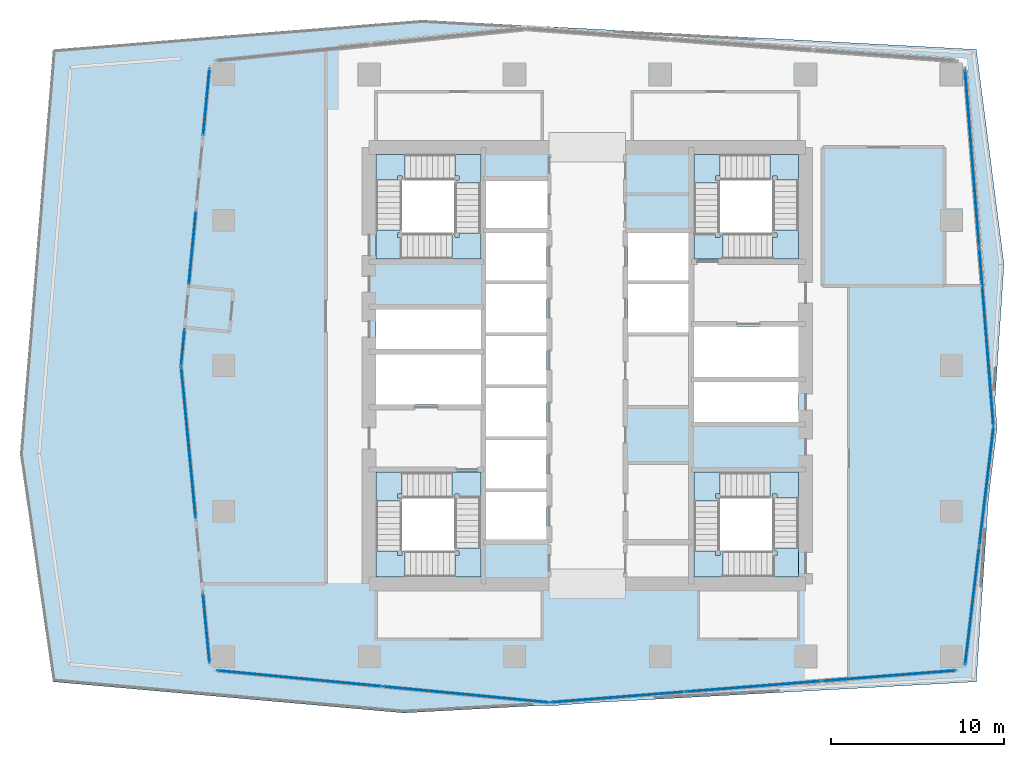
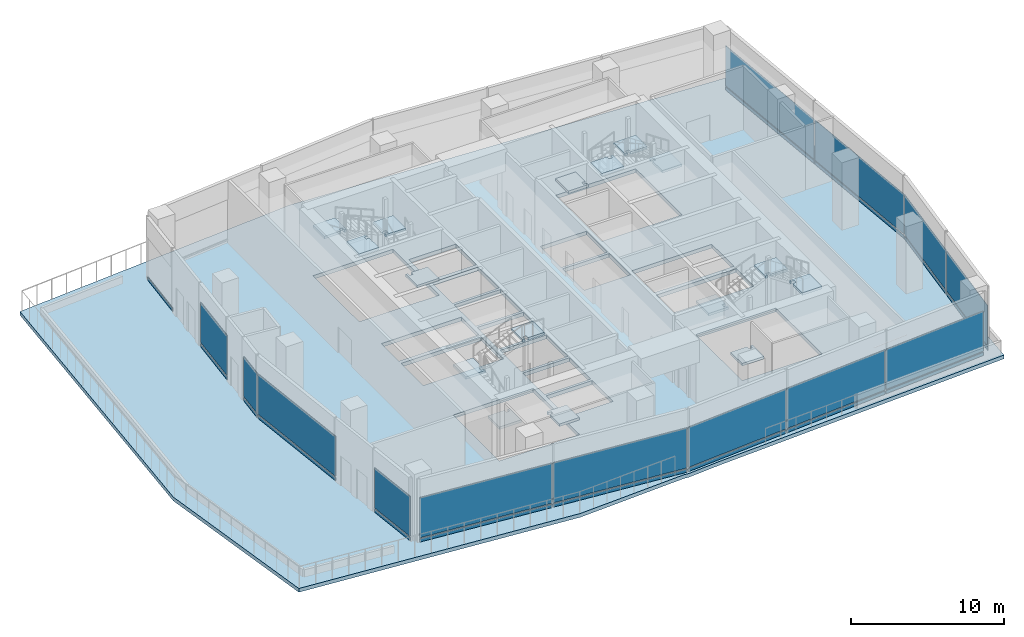
# One storey, part 11 of 22: 27 plates, 17 slabs, 13 elements without a shape of their own.
"""IFC4 building model written with IfcOpenShell, lengths in metres."""

from ifc_helpers import new_model, si_unit, direction, frame, origin, origin_2d, place, context, subcontext, project, spatial, polyline, rectangle, outline, extrude, material, layer, layer_set, type_object, element, aggregate, save


model = new_model("IFC4")

# Units and contexts
model_context = context("Model", 3, precision=1e-05, world=origin(), true_north=direction((0.0, 1.0)))
body_context = subcontext(model_context, "Body", "Model", "MODEL_VIEW")
ifc_project = project(units=[si_unit("LENGTHUNIT", "METRE"), si_unit("AREAUNIT", "SQUARE_METRE"), si_unit("VOLUMEUNIT", "CUBIC_METRE"), si_unit("PLANEANGLEUNIT", "RADIAN"), si_unit("MASSUNIT", "GRAM", prefix="KILO")], contexts=[model_context])

# Site, building, storey
site_placement = place(None, origin())
site = spatial("IfcSite", under=ifc_project, at=site_placement, CompositionType="ELEMENT")
building_placement = place(site_placement, origin())
building = spatial("IfcBuilding", under=site, at=building_placement, Name="Rekha Terrace Tower", CompositionType="ELEMENT")
storey_placement = place(building_placement, frame((0.0, 0.0, 291.35009765625)))
storey = spatial("IfcBuildingStorey", under=building, at=storey_placement, Name="L74", CompositionType="ELEMENT", Elevation=291.35009765625)

# Curtain wall, plates
ifc_material_1 = material(Name="Aluminium framing", Category="aluminium")
curtain_wall_type = type_object("IfcCurtainWallType", Name="CW6 observation glazing", PredefinedType="USERDEFINED", material=ifc_material_1)
curtain_wall_1_placement = place(storey_placement, origin())
curtain_wall_1 = element("IfcCurtainWall", 1, at=curtain_wall_1_placement, inside=storey, type_object=curtain_wall_type, Name="CW6 observation curtain wall", ObjectType="OBSERVATION CURTAIN WALL", PredefinedType="USERDEFINED")
ifc_material_2 = material(Name="Laminated triple-glazed unit 40", Category="glass")
ifc_layer_1 = layer(ifc_material_2, 0.0400390625)
ifc_layer_set_1 = layer_set([ifc_layer_1], Name="Laminated triple-glazed unit 40")
plate_type = type_object("IfcPlateType", Name="CW6 jumbo vision panel, laminated triple-glazed unit 40", PredefinedType="CURTAIN_PANEL", material=ifc_layer_set_1)
plate_1_placement = place(storey_placement, frame((21.181884765625, 15.5380859375, 0.0), z_axis=(0.0, 0.0, 1.0), x_axis=(0.995406720843, -0.095736409483, 0.0)))
plate_1 = element("IfcPlate", 2, at=plate_1_placement, type_object=plate_type, Name="CW6 panel 1.1", PredefinedType="CURTAIN_PANEL", context=body_context, shape_type="SweptSolid", body=[
    extrude(rectangle(XDim=9.527587890625, YDim=0.0400390625, at=origin_2d()), origin(), (0.0, 0.0, 1.0), 0.25),
])
plate_2_placement = place(storey_placement, frame((21.181884765625, 15.5380859375, 0.35009765625), z_axis=(0.0, 0.0, 1.0), x_axis=(0.995406720843, -0.095736409483, 0.0)))
plate_2 = element("IfcPlate", 3, at=plate_2_placement, type_object=plate_type, Name="CW6 panel 1.2", PredefinedType="CURTAIN_PANEL", context=body_context, shape_type="SweptSolid", body=[
    extrude(rectangle(XDim=9.527587890625, YDim=0.0400390625, at=origin_2d()), origin(), (0.0, 0.0, 1.0), 3.199951171875),
])
plate_3_placement = place(storey_placement, frame((30.81494140625, 14.611572265625, 0.0), z_axis=(0.0, 0.0, 1.0), x_axis=(0.995406720843, -0.095736409483, 0.0)))
plate_3 = element("IfcPlate", 4, at=plate_3_placement, type_object=plate_type, Name="CW6 panel 2.1", PredefinedType="CURTAIN_PANEL", context=body_context, shape_type="SweptSolid", body=[
    extrude(rectangle(XDim=9.627685546875, YDim=0.0400390625, at=origin_2d()), origin(), (0.0, 0.0, 1.0), 0.25),
])
plate_4_placement = place(storey_placement, frame((30.81494140625, 14.611572265625, 0.35009765625), z_axis=(0.0, 0.0, 1.0), x_axis=(0.995406720843, -0.095736409483, 0.0)))
plate_4 = element("IfcPlate", 5, at=plate_4_placement, type_object=plate_type, Name="CW6 panel 2.2", PredefinedType="CURTAIN_PANEL", context=body_context, shape_type="SweptSolid", body=[
    extrude(rectangle(XDim=9.627685546875, YDim=0.0400390625, at=origin_2d()), origin(), (0.0, 0.0, 1.0), 3.199951171875),
])
aggregate(curtain_wall_1, [plate_1, plate_2, plate_3, plate_4])

curtain_wall_2_placement = place(storey_placement, origin())
curtain_wall_2 = element("IfcCurtainWall", 6, at=curtain_wall_2_placement, inside=storey, type_object=curtain_wall_type, Name="CW6 observation curtain wall", ObjectType="OBSERVATION CURTAIN WALL", PredefinedType="USERDEFINED")
plate_5_placement = place(storey_placement, frame((39.556640625, 14.461669921875, 0.0), z_axis=(0.0, 0.0, 1.0), x_axis=(0.996918149807, 0.078448725836, 0.0)))
plate_5 = element("IfcPlate", 7, at=plate_5_placement, type_object=plate_type, Name="CW6 panel 1.1", PredefinedType="CURTAIN_PANEL", context=body_context, shape_type="SweptSolid", body=[
    extrude(rectangle(XDim=7.72412109375, YDim=0.0400390625, at=origin_2d()), origin(), (0.0, 0.0, 1.0), 0.25),
])
plate_6_placement = place(storey_placement, frame((39.556640625, 14.461669921875, 0.35009765625), z_axis=(0.0, 0.0, 1.0), x_axis=(0.996918149807, 0.078448725836, 0.0)))
plate_6 = element("IfcPlate", 8, at=plate_6_placement, type_object=plate_type, Name="CW6 panel 1.2", PredefinedType="CURTAIN_PANEL", context=body_context, shape_type="SweptSolid", body=[
    extrude(rectangle(XDim=7.72412109375, YDim=0.0400390625, at=origin_2d()), origin(), (0.0, 0.0, 1.0), 3.199951171875),
])
plate_7_placement = place(storey_placement, frame((47.38134765625, 15.077392578125, 0.0), z_axis=(0.0, 0.0, 1.0), x_axis=(0.996918149807, 0.078448725836, 0.0)))
plate_7 = element("IfcPlate", 9, at=plate_7_placement, type_object=plate_type, Name="CW6 panel 2.1", PredefinedType="CURTAIN_PANEL", context=body_context, shape_type="SweptSolid", body=[
    extrude(rectangle(XDim=7.77392578125, YDim=0.0400390625, at=origin_2d()), origin(), (0.0, 0.0, 1.0), 0.25),
])
plate_8_placement = place(storey_placement, frame((47.38134765625, 15.077392578125, 0.35009765625), z_axis=(0.0, 0.0, 1.0), x_axis=(0.996918149807, 0.078448725836, 0.0)))
plate_8 = element("IfcPlate", 10, at=plate_8_placement, type_object=plate_type, Name="CW6 panel 2.2", PredefinedType="CURTAIN_PANEL", context=body_context, shape_type="SweptSolid", body=[
    extrude(rectangle(XDim=7.77392578125, YDim=0.0400390625, at=origin_2d()), origin(), (0.0, 0.0, 1.0), 3.199951171875),
])
plate_9_placement = place(storey_placement, frame((55.206298828125, 15.693115234375, 0.0), z_axis=(0.0, 0.0, 1.0), x_axis=(0.996918149807, 0.078448725836, 0.0)))
plate_9 = element("IfcPlate", 11, at=plate_9_placement, type_object=plate_type, Name="CW6 panel 3.1", PredefinedType="CURTAIN_PANEL", context=body_context, shape_type="SweptSolid", body=[
    extrude(rectangle(XDim=7.72412109375, YDim=0.0400390625, at=origin_2d()), origin(), (0.0, 0.0, 1.0), 0.25),
])
plate_10_placement = place(storey_placement, frame((55.206298828125, 15.693115234375, 0.35009765625), z_axis=(0.0, 0.0, 1.0), x_axis=(0.996918149807, 0.078448725836, 0.0)))
plate_10 = element("IfcPlate", 12, at=plate_10_placement, type_object=plate_type, Name="CW6 panel 3.2", PredefinedType="CURTAIN_PANEL", context=body_context, shape_type="SweptSolid", body=[
    extrude(rectangle(XDim=7.72412109375, YDim=0.0400390625, at=origin_2d()), origin(), (0.0, 0.0, 1.0), 3.199951171875),
])
aggregate(curtain_wall_2, [plate_5, plate_6, plate_7, plate_8, plate_9, plate_10])

curtain_wall_3_placement = place(storey_placement, origin())
curtain_wall_3 = element("IfcCurtainWall", 13, at=curtain_wall_3_placement, inside=storey, type_object=curtain_wall_type, Name="CW6 observation curtain wall", ObjectType="OBSERVATION CURTAIN WALL", PredefinedType="USERDEFINED")
plate_11_placement = place(storey_placement, frame((60.012451171875, 19.72509765625, 0.0), z_axis=(0.0, 0.0, 1.0), x_axis=(0.118869493529, 0.992909886902, 0.0)))
plate_11 = element("IfcPlate", 14, at=plate_11_placement, type_object=plate_type, Name="CW6 panel 1.1", PredefinedType="CURTAIN_PANEL", context=body_context, shape_type="SweptSolid", body=[
    extrude(rectangle(XDim=6.8017578125, YDim=0.0400390625, at=origin_2d()), origin(), (0.0, 0.0, 1.0), 0.25),
])
plate_12_placement = place(storey_placement, frame((60.012451171875, 19.72509765625, 0.35009765625), z_axis=(0.0, 0.0, 1.0), x_axis=(0.118869493529, 0.992909886902, 0.0)))
plate_12 = element("IfcPlate", 15, at=plate_12_placement, type_object=plate_type, Name="CW6 panel 1.2", PredefinedType="CURTAIN_PANEL", context=body_context, shape_type="SweptSolid", body=[
    extrude(rectangle(XDim=6.8017578125, YDim=0.0400390625, at=origin_2d()), origin(), (0.0, 0.0, 1.0), 3.199951171875),
])
plate_13_placement = place(storey_placement, frame((60.8388671875, 26.627685546875, 0.0), z_axis=(0.0, 0.0, 1.0), x_axis=(0.118869493529, 0.992909886902, 0.0)))
plate_13 = element("IfcPlate", 16, at=plate_13_placement, type_object=plate_type, Name="CW6 panel 2.1", PredefinedType="CURTAIN_PANEL", context=body_context, shape_type="SweptSolid", body=[
    extrude(rectangle(XDim=6.901611328125, YDim=0.0400390625, at=origin_2d()), origin(), (0.0, 0.0, 1.0), 0.25),
])
plate_14_placement = place(storey_placement, frame((60.8388671875, 26.627685546875, 0.35009765625), z_axis=(0.0, 0.0, 1.0), x_axis=(0.118869493529, 0.992909886902, 0.0)))
plate_14 = element("IfcPlate", 17, at=plate_14_placement, type_object=plate_type, Name="CW6 panel 2.2", PredefinedType="CURTAIN_PANEL", context=body_context, shape_type="SweptSolid", body=[
    extrude(rectangle(XDim=6.901611328125, YDim=0.0400390625, at=origin_2d()), origin(), (0.0, 0.0, 1.0), 3.199951171875),
])
aggregate(curtain_wall_3, [plate_11, plate_12, plate_13, plate_14])

curtain_wall_4_placement = place(storey_placement, origin())
curtain_wall_4 = element("IfcCurtainWall", 18, at=curtain_wall_4_placement, inside=storey, type_object=curtain_wall_type, Name="CW6 observation curtain wall", ObjectType="OBSERVATION CURTAIN WALL", PredefinedType="USERDEFINED")
plate_15_placement = place(storey_placement, frame((60.833740234375, 35.25634765625, 0.0), z_axis=(0.0, 0.0, 1.0), x_axis=(-0.079559213191, 0.996830141798, 0.0)))
plate_15 = element("IfcPlate", 19, at=plate_15_placement, type_object=plate_type, Name="CW6 panel 1.1", PredefinedType="CURTAIN_PANEL", context=body_context, shape_type="SweptSolid", body=[
    extrude(rectangle(XDim=10.238037109375, YDim=0.0400390625, at=origin_2d()), origin(), (0.0, 0.0, 1.0), 0.25),
])
plate_16_placement = place(storey_placement, frame((60.833740234375, 35.25634765625, 0.35009765625), z_axis=(0.0, 0.0, 1.0), x_axis=(-0.079559213191, 0.996830141798, 0.0)))
plate_16 = element("IfcPlate", 20, at=plate_16_placement, type_object=plate_type, Name="CW6 panel 1.2", PredefinedType="CURTAIN_PANEL", context=body_context, shape_type="SweptSolid", body=[
    extrude(rectangle(XDim=10.238037109375, YDim=0.0400390625, at=origin_2d()), origin(), (0.0, 0.0, 1.0), 3.199951171875),
])
plate_17_placement = place(storey_placement, frame((60.01123046875, 45.5615234375, 0.0), z_axis=(0.0, 0.0, 1.0), x_axis=(-0.079559213191, 0.996830141798, 0.0)))
plate_17 = element("IfcPlate", 21, at=plate_17_placement, type_object=plate_type, Name="CW6 panel 2.1", PredefinedType="CURTAIN_PANEL", context=body_context, shape_type="SweptSolid", body=[
    extrude(rectangle(XDim=10.238037109375, YDim=0.0400390625, at=origin_2d()), origin(), (0.0, 0.0, 1.0), 0.25),
])
plate_18_placement = place(storey_placement, frame((60.01123046875, 45.5615234375, 0.35009765625), z_axis=(0.0, 0.0, 1.0), x_axis=(-0.079559213191, 0.996830141798, 0.0)))
plate_18 = element("IfcPlate", 22, at=plate_18_placement, type_object=plate_type, Name="CW6 panel 2.2", PredefinedType="CURTAIN_PANEL", context=body_context, shape_type="SweptSolid", body=[
    extrude(rectangle(XDim=10.238037109375, YDim=0.0400390625, at=origin_2d()), origin(), (0.0, 0.0, 1.0), 3.199951171875),
])
aggregate(curtain_wall_4, [plate_15, plate_16, plate_17, plate_18])

# Curtain wall, plate
curtain_wall_5_placement = place(storey_placement, origin())
curtain_wall_5 = element("IfcCurtainWall", 23, at=curtain_wall_5_placement, inside=storey, type_object=curtain_wall_type, Name="CW6 observation curtain wall", ObjectType="OBSERVATION CURTAIN WALL", PredefinedType="USERDEFINED")
plate_19_placement = place(storey_placement, frame((15.80810546875, 48.813720703125, 0.0), z_axis=(0.0, 0.0, 1.0), x_axis=(-0.095338387029, -0.99544492161, 0.0)))
plate_19 = element("IfcPlate", 24, at=plate_19_placement, type_object=plate_type, Name="CW6 panel 1.1", PredefinedType="CURTAIN_PANEL", context=body_context, shape_type="SweptSolid", body=[
    extrude(rectangle(XDim=3.906494140625, YDim=0.0400390625, at=origin_2d()), origin(), (0.0, 0.0, 1.0), 0.25),
])
aggregate(curtain_wall_5, [plate_19])

# Curtain wall, plates
curtain_wall_6_placement = place(storey_placement, origin())
curtain_wall_6 = element("IfcCurtainWall", 25, at=curtain_wall_6_placement, inside=storey, type_object=curtain_wall_type, Name="CW6 observation curtain wall", ObjectType="OBSERVATION CURTAIN WALL", PredefinedType="USERDEFINED")
plate_20_placement = place(storey_placement, frame((15.001220703125, 40.39013671875, 0.0), z_axis=(0.0, 0.0, 1.0), x_axis=(-0.095338386699, -0.995444921641, 0.0)))
plate_20 = element("IfcPlate", 26, at=plate_20_placement, type_object=plate_type, Name="CW6 panel 1.1", PredefinedType="CURTAIN_PANEL", context=body_context, shape_type="SweptSolid", body=[
    extrude(rectangle(XDim=4.218017578125, YDim=0.0400390625, at=origin_2d()), origin(), (0.0, 0.0, 1.0), 0.25),
])
plate_21_placement = place(storey_placement, frame((15.001220703125, 40.39013671875, 0.35009765625), z_axis=(0.0, 0.0, 1.0), x_axis=(-0.095338386699, -0.995444921641, 0.0)))
plate_21 = element("IfcPlate", 27, at=plate_21_placement, type_object=plate_type, Name="CW6 panel 1.2", PredefinedType="CURTAIN_PANEL", context=body_context, shape_type="SweptSolid", body=[
    extrude(rectangle(XDim=4.218017578125, YDim=0.0400390625, at=origin_2d()), origin(), (0.0, 0.0, 1.0), 3.199951171875),
])
aggregate(curtain_wall_6, [plate_20, plate_21])

curtain_wall_7_placement = place(storey_placement, origin())
curtain_wall_7 = element("IfcCurtainWall", 28, at=curtain_wall_7_placement, inside=storey, type_object=curtain_wall_type, Name="CW6 observation curtain wall", ObjectType="OBSERVATION CURTAIN WALL", PredefinedType="USERDEFINED")
plate_22_placement = place(storey_placement, frame((14.45166015625, 34.651123046875, 0.0), z_axis=(0.0, 0.0, 1.0), x_axis=(-0.095338386925, -0.99544492162, 0.0)))
plate_22 = element("IfcPlate", 29, at=plate_22_placement, type_object=plate_type, Name="CW6 panel 1.1", PredefinedType="CURTAIN_PANEL", context=body_context, shape_type="SweptSolid", body=[
    extrude(rectangle(XDim=2.112060546875, YDim=0.0400390625, at=origin_2d()), origin(), (0.0, 0.0, 1.0), 0.25),
])
plate_23_placement = place(storey_placement, frame((14.45166015625, 34.651123046875, 0.35009765625), z_axis=(0.0, 0.0, 1.0), x_axis=(-0.095338386925, -0.99544492162, 0.0)))
plate_23 = element("IfcPlate", 30, at=plate_23_placement, type_object=plate_type, Name="CW6 panel 1.2", PredefinedType="CURTAIN_PANEL", context=body_context, shape_type="SweptSolid", body=[
    extrude(rectangle(XDim=2.112060546875, YDim=0.0400390625, at=origin_2d()), origin(), (0.0, 0.0, 1.0), 3.199951171875),
])
aggregate(curtain_wall_7, [plate_22, plate_23])

curtain_wall_8_placement = place(storey_placement, origin())
curtain_wall_8 = element("IfcCurtainWall", 31, at=curtain_wall_8_placement, inside=storey, type_object=curtain_wall_type, Name="CW6 observation curtain wall", ObjectType="OBSERVATION CURTAIN WALL", PredefinedType="USERDEFINED")
plate_24_placement = place(storey_placement, frame((14.7763671875, 29.158447265625, 0.0), z_axis=(0.0, 0.0, 1.0), x_axis=(0.095338386855, -0.995444921626, 0.0)))
plate_24 = element("IfcPlate", 32, at=plate_24_placement, type_object=plate_type, Name="CW6 panel 1.1", PredefinedType="CURTAIN_PANEL", context=body_context, shape_type="SweptSolid", body=[
    extrude(rectangle(XDim=8.7236328125, YDim=0.0400390625, at=origin_2d()), origin(), (0.0, 0.0, 1.0), 0.25),
])
plate_25_placement = place(storey_placement, frame((14.7763671875, 29.158447265625, 0.35009765625), z_axis=(0.0, 0.0, 1.0), x_axis=(0.095338386855, -0.995444921626, 0.0)))
plate_25 = element("IfcPlate", 33, at=plate_25_placement, type_object=plate_type, Name="CW6 panel 1.2", PredefinedType="CURTAIN_PANEL", context=body_context, shape_type="SweptSolid", body=[
    extrude(rectangle(XDim=8.7236328125, YDim=0.0400390625, at=origin_2d()), origin(), (0.0, 0.0, 1.0), 3.199951171875),
])
aggregate(curtain_wall_8, [plate_24, plate_25])

curtain_wall_9_placement = place(storey_placement, origin())
curtain_wall_9 = element("IfcCurtainWall", 34, at=curtain_wall_9_placement, inside=storey, type_object=curtain_wall_type, Name="CW6 observation curtain wall", ObjectType="OBSERVATION CURTAIN WALL", PredefinedType="USERDEFINED")
plate_26_placement = place(storey_placement, frame((15.802978515625, 18.439208984375, 0.0), z_axis=(0.0, 0.0, 1.0), x_axis=(0.095338387011, -0.995444921611, 0.0)))
plate_26 = element("IfcPlate", 35, at=plate_26_placement, type_object=plate_type, Name="CW6 panel 1.1", PredefinedType="CURTAIN_PANEL", context=body_context, shape_type="SweptSolid", body=[
    extrude(rectangle(XDim=4.012939453125, YDim=0.0400390625, at=origin_2d()), origin(), (0.0, 0.0, 1.0), 0.25),
])
plate_27_placement = place(storey_placement, frame((15.802978515625, 18.439208984375, 0.35009765625), z_axis=(0.0, 0.0, 1.0), x_axis=(0.095338387011, -0.995444921611, 0.0)))
plate_27 = element("IfcPlate", 36, at=plate_27_placement, type_object=plate_type, Name="CW6 panel 1.2", PredefinedType="CURTAIN_PANEL", context=body_context, shape_type="SweptSolid", body=[
    extrude(rectangle(XDim=4.012939453125, YDim=0.0400390625, at=origin_2d()), origin(), (0.0, 0.0, 1.0), 3.199951171875),
])
aggregate(curtain_wall_9, [plate_26, plate_27])

# Stair, slabs
ifc_material_3 = material(Name="Concrete M40", Category="concrete")
stair_type = type_object("IfcStairType", Name="ST40 stair, 40 risers of 135, going 320, 1500 wide flights, 4 flights", PredefinedType="QUARTER_TURN_STAIR", material=ifc_material_3)
stair_1_placement = place(storey_placement, origin())
stair_1 = element("IfcStair", 37, at=stair_1_placement, inside=storey, type_object=stair_type, Name="Stair ST1 L74 to L75", PredefinedType="QUARTER_TURN_STAIR")
ifc_layer_2 = layer(ifc_material_3, 0.199951171875)
ifc_layer_set_2 = layer_set([ifc_layer_2], Name="Concrete M40")
slab_type_1 = type_object("IfcSlabType", Name="LD1 200 concrete stair landing", PredefinedType="LANDING", material=ifc_layer_set_2)
slab_1_placement = place(storey_placement, frame((0.0, 0.0, 1.14990234375)))
slab_1 = element("IfcSlab", 38, at=slab_1_placement, type_object=slab_type_1, Name="ST1 landing 1", PredefinedType="LANDING", context=body_context, shape_type="SweptSolid", body=[
    extrude(outline(polyline([(30.14990234375, 21.39990234375), (31.64990234375, 21.39990234375), (31.64990234375, 23.070068359375), (30.14990234375, 23.070068359375), (30.14990234375, 22.89990234375), (30.39990234375, 22.89990234375), (30.39990234375, 22.64990234375), (30.14990234375, 22.64990234375), (30.14990234375, 21.39990234375)])), origin(), (0.0, 0.0, 1.0), 0.199951171875),
])
slab_2_placement = place(storey_placement, frame((0.0, 0.0, 2.5)))
slab_2 = element("IfcSlab", 39, at=slab_2_placement, type_object=slab_type_1, Name="ST1 landing 2", PredefinedType="LANDING", context=body_context, shape_type="SweptSolid", body=[
    extrude(outline(polyline([(25.60009765625, 22.89990234375), (25.60009765625, 21.39990234375), (27.27001953125, 21.39990234375), (27.27001953125, 22.89990234375), (27.10009765625, 22.89990234375), (27.10009765625, 22.64990234375), (26.85009765625, 22.64990234375), (26.85009765625, 22.89990234375), (25.60009765625, 22.89990234375)])), origin(), (0.0, 0.0, 1.0), 0.199951171875),
])
slab_3_placement = place(storey_placement, frame((0.0, 0.0, 3.849853515625)))
slab_3 = element("IfcSlab", 40, at=slab_3_placement, type_object=slab_type_1, Name="ST1 landing 3", PredefinedType="LANDING", context=body_context, shape_type="SweptSolid", body=[
    extrude(outline(polyline([(27.10009765625, 27.449951171875), (25.60009765625, 27.449951171875), (25.60009765625, 25.780029296875), (27.10009765625, 25.780029296875), (27.10009765625, 25.949951171875), (26.85009765625, 25.949951171875), (26.85009765625, 26.199951171875), (27.10009765625, 26.199951171875), (27.10009765625, 27.449951171875)])), origin(), (0.0, 0.0, 1.0), 0.199951171875),
])
slab_4_placement = place(storey_placement, frame((0.0, 0.0, 5.199951171875)))
slab_4 = element("IfcSlab", 41, at=slab_4_placement, type_object=slab_type_1, Name="ST1 landing 4", PredefinedType="LANDING", context=body_context, shape_type="SweptSolid", body=[
    extrude(outline(polyline([(31.64990234375, 25.949951171875), (31.64990234375, 27.449951171875), (29.97998046875, 27.449951171875), (29.97998046875, 25.949951171875), (30.14990234375, 25.949951171875), (30.14990234375, 26.199951171875), (30.39990234375, 26.199951171875), (30.39990234375, 25.949951171875), (31.64990234375, 25.949951171875)])), origin(), (0.0, 0.0, 1.0), 0.199951171875),
])
aggregate(stair_1, [slab_1, slab_2, slab_3, slab_4])

stair_2_placement = place(storey_placement, origin())
stair_2 = element("IfcStair", 42, at=stair_2_placement, inside=storey, type_object=stair_type, Name="Stair ST2 L74 to L75", PredefinedType="QUARTER_TURN_STAIR")
slab_5_placement = place(storey_placement, frame((0.0, 0.0, 1.14990234375)))
slab_5 = element("IfcSlab", 43, at=slab_5_placement, type_object=slab_type_1, Name="ST2 landing 1", PredefinedType="LANDING", context=body_context, shape_type="SweptSolid", body=[
    extrude(outline(polyline([(45.449951171875, 45.800048828125), (43.949951171875, 45.800048828125), (43.949951171875, 44.1298828125), (45.449951171875, 44.1298828125), (45.449951171875, 44.300048828125), (45.199951171875, 44.300048828125), (45.199951171875, 44.550048828125), (45.449951171875, 44.550048828125), (45.449951171875, 45.800048828125)])), origin(), (0.0, 0.0, 1.0), 0.199951171875),
])
slab_6_placement = place(storey_placement, frame((0.0, 0.0, 2.5)))
slab_6 = element("IfcSlab", 44, at=slab_6_placement, type_object=slab_type_1, Name="ST2 landing 2", PredefinedType="LANDING", context=body_context, shape_type="SweptSolid", body=[
    extrude(outline(polyline([(50.0, 44.300048828125), (50.0, 45.800048828125), (48.330078125, 45.800048828125), (48.330078125, 44.300048828125), (48.5, 44.300048828125), (48.5, 44.550048828125), (48.75, 44.550048828125), (48.75, 44.300048828125), (50.0, 44.300048828125)])), origin(), (0.0, 0.0, 1.0), 0.199951171875),
])
slab_7_placement = place(storey_placement, frame((0.0, 0.0, 3.849853515625)))
slab_7 = element("IfcSlab", 45, at=slab_7_placement, type_object=slab_type_1, Name="ST2 landing 3", PredefinedType="LANDING", context=body_context, shape_type="SweptSolid", body=[
    extrude(outline(polyline([(48.5, 39.75), (50.0, 39.75), (50.0, 41.419921875), (48.5, 41.419921875), (48.5, 41.25), (48.75, 41.25), (48.75, 41.0), (48.5, 41.0), (48.5, 39.75)])), origin(), (0.0, 0.0, 1.0), 0.199951171875),
])
slab_8_placement = place(storey_placement, frame((0.0, 0.0, 5.199951171875)))
slab_8 = element("IfcSlab", 46, at=slab_8_placement, type_object=slab_type_1, Name="ST2 landing 4", PredefinedType="LANDING", context=body_context, shape_type="SweptSolid", body=[
    extrude(outline(polyline([(43.949951171875, 41.25), (43.949951171875, 39.75), (45.6201171875, 39.75), (45.6201171875, 41.25), (45.449951171875, 41.25), (45.449951171875, 41.0), (45.199951171875, 41.0), (45.199951171875, 41.25), (43.949951171875, 41.25)])), origin(), (0.0, 0.0, 1.0), 0.199951171875),
])
aggregate(stair_2, [slab_5, slab_6, slab_7, slab_8])

stair_3_placement = place(storey_placement, origin())
stair_3 = element("IfcStair", 47, at=stair_3_placement, inside=storey, type_object=stair_type, Name="Stair ST3 L74 to L75", PredefinedType="QUARTER_TURN_STAIR")
slab_9_placement = place(storey_placement, frame((0.0, 0.0, 1.14990234375)))
slab_9 = element("IfcSlab", 48, at=slab_9_placement, type_object=slab_type_1, Name="ST3 landing 1", PredefinedType="LANDING", context=body_context, shape_type="SweptSolid", body=[
    extrude(outline(polyline([(43.949951171875, 22.89990234375), (43.949951171875, 21.39990234375), (45.6201171875, 21.39990234375), (45.6201171875, 22.89990234375), (45.449951171875, 22.89990234375), (45.449951171875, 22.64990234375), (45.199951171875, 22.64990234375), (45.199951171875, 22.89990234375), (43.949951171875, 22.89990234375)])), origin(), (0.0, 0.0, 1.0), 0.199951171875),
])
slab_10_placement = place(storey_placement, frame((0.0, 0.0, 2.5)))
slab_10 = element("IfcSlab", 49, at=slab_10_placement, type_object=slab_type_1, Name="ST3 landing 2", PredefinedType="LANDING", context=body_context, shape_type="SweptSolid", body=[
    extrude(outline(polyline([(45.449951171875, 27.449951171875), (43.949951171875, 27.449951171875), (43.949951171875, 25.780029296875), (45.449951171875, 25.780029296875), (45.449951171875, 25.949951171875), (45.199951171875, 25.949951171875), (45.199951171875, 26.199951171875), (45.449951171875, 26.199951171875), (45.449951171875, 27.449951171875)])), origin(), (0.0, 0.0, 1.0), 0.199951171875),
])
slab_11_placement = place(storey_placement, frame((0.0, 0.0, 3.849853515625)))
slab_11 = element("IfcSlab", 50, at=slab_11_placement, type_object=slab_type_1, Name="ST3 landing 3", PredefinedType="LANDING", context=body_context, shape_type="SweptSolid", body=[
    extrude(outline(polyline([(50.0, 25.949951171875), (50.0, 27.449951171875), (48.330078125, 27.449951171875), (48.330078125, 25.949951171875), (48.5, 25.949951171875), (48.5, 26.199951171875), (48.75, 26.199951171875), (48.75, 25.949951171875), (50.0, 25.949951171875)])), origin(), (0.0, 0.0, 1.0), 0.199951171875),
])
slab_12_placement = place(storey_placement, frame((0.0, 0.0, 5.199951171875)))
slab_12 = element("IfcSlab", 51, at=slab_12_placement, type_object=slab_type_1, Name="ST3 landing 4", PredefinedType="LANDING", context=body_context, shape_type="SweptSolid", body=[
    extrude(outline(polyline([(48.5, 21.39990234375), (50.0, 21.39990234375), (50.0, 23.070068359375), (48.5, 23.070068359375), (48.5, 22.89990234375), (48.75, 22.89990234375), (48.75, 22.64990234375), (48.5, 22.64990234375), (48.5, 21.39990234375)])), origin(), (0.0, 0.0, 1.0), 0.199951171875),
])
aggregate(stair_3, [slab_9, slab_10, slab_11, slab_12])

stair_4_placement = place(storey_placement, origin())
stair_4 = element("IfcStair", 52, at=stair_4_placement, inside=storey, type_object=stair_type, Name="Stair ST4 L74 to L75", PredefinedType="QUARTER_TURN_STAIR")
slab_13_placement = place(storey_placement, frame((0.0, 0.0, 1.14990234375)))
slab_13 = element("IfcSlab", 53, at=slab_13_placement, type_object=slab_type_1, Name="ST4 landing 1", PredefinedType="LANDING", context=body_context, shape_type="SweptSolid", body=[
    extrude(outline(polyline([(31.64990234375, 41.25), (31.64990234375, 39.75), (29.97998046875, 39.75), (29.97998046875, 41.25), (30.14990234375, 41.25), (30.14990234375, 41.0), (30.39990234375, 41.0), (30.39990234375, 41.25), (31.64990234375, 41.25)])), origin(), (0.0, 0.0, 1.0), 0.199951171875),
])
slab_14_placement = place(storey_placement, frame((0.0, 0.0, 2.5)))
slab_14 = element("IfcSlab", 54, at=slab_14_placement, type_object=slab_type_1, Name="ST4 landing 2", PredefinedType="LANDING", context=body_context, shape_type="SweptSolid", body=[
    extrude(outline(polyline([(30.14990234375, 45.800048828125), (31.64990234375, 45.800048828125), (31.64990234375, 44.1298828125), (30.14990234375, 44.1298828125), (30.14990234375, 44.300048828125), (30.39990234375, 44.300048828125), (30.39990234375, 44.550048828125), (30.14990234375, 44.550048828125), (30.14990234375, 45.800048828125)])), origin(), (0.0, 0.0, 1.0), 0.199951171875),
])
slab_15_placement = place(storey_placement, frame((0.0, 0.0, 3.849853515625)))
slab_15 = element("IfcSlab", 55, at=slab_15_placement, type_object=slab_type_1, Name="ST4 landing 3", PredefinedType="LANDING", context=body_context, shape_type="SweptSolid", body=[
    extrude(outline(polyline([(25.60009765625, 44.300048828125), (25.60009765625, 45.800048828125), (27.27001953125, 45.800048828125), (27.27001953125, 44.300048828125), (27.10009765625, 44.300048828125), (27.10009765625, 44.550048828125), (26.85009765625, 44.550048828125), (26.85009765625, 44.300048828125), (25.60009765625, 44.300048828125)])), origin(), (0.0, 0.0, 1.0), 0.199951171875),
])
slab_16_placement = place(storey_placement, frame((0.0, 0.0, 5.199951171875)))
slab_16 = element("IfcSlab", 56, at=slab_16_placement, type_object=slab_type_1, Name="ST4 landing 4", PredefinedType="LANDING", context=body_context, shape_type="SweptSolid", body=[
    extrude(outline(polyline([(27.10009765625, 39.75), (25.60009765625, 39.75), (25.60009765625, 41.419921875), (27.10009765625, 41.419921875), (27.10009765625, 41.25), (26.85009765625, 41.25), (26.85009765625, 41.0), (27.10009765625, 41.0), (27.10009765625, 39.75)])), origin(), (0.0, 0.0, 1.0), 0.199951171875),
])
aggregate(stair_4, [slab_13, slab_14, slab_15, slab_16])

# Slab
ifc_material_4 = material(Name="Concrete M50", Category="concrete")
ifc_layer_3 = layer(ifc_material_4, 0.300048828125)
ifc_layer_set_3 = layer_set([ifc_layer_3], Name="Concrete M50")
slab_type_2 = type_object("IfcSlabType", Name="SL7 300 observation floor slab", PredefinedType="FLOOR", material=ifc_layer_set_3)
slab_17_placement = place(storey_placement, frame((0.0, 0.0, -0.300048828125)))
element("IfcSlab", 57, at=slab_17_placement, inside=storey, type_object=slab_type_2, Name="Observation floor slab L74", PredefinedType="FLOOR", context=body_context, shape_type="SweptSolid", body=[
    extrude(outline(polyline([(5.050048828125, 28.489990234375), (5.050048828125, 28.489990234375), (5.050048828125, 28.489990234375), (5.050048828125, 28.489990234375), (5.050048828125, 28.489990234375), (6.949951171875, 15.35009765625), (6.949951171875, 15.35009765625), (6.949951171875, 15.35009765625), (6.949951171875, 15.35009765625), (6.949951171875, 15.35009765625), (6.949951171875, 15.35009765625), (6.949951171875, 15.35009765625), (27.2041015625, 13.550048828125), (27.2041015625, 13.550048828125), (27.2041015625, 13.550048828125), (27.2041015625, 13.550048828125), (27.2041015625, 13.550048828125), (27.2041015625, 13.550048828125), (27.2041015625, 13.550048828125), (27.2041015625, 13.550048828125), (35.22265625, 13.98681640625), (35.22265625, 13.98681640625), (35.22265625, 13.98681640625), (35.22265625, 13.98681640625), (35.22265625, 13.98681640625), (35.22265625, 13.98681640625), (35.22265625, 13.98681640625), (35.22265625, 13.98681640625), (35.60498046875, 13.949951171875), (35.60498046875, 13.949951171875), (35.60498046875, 13.949951171875), (35.60498046875, 13.949951171875), (35.60498046875, 13.949951171875), (35.60498046875, 13.949951171875), (37.98291015625, 14.13720703125), (37.98291015625, 14.13720703125), (60.25, 15.35009765625), (60.25, 15.35009765625), (60.25, 15.35009765625), (60.947509765625, 25.853759765625), (60.947509765625, 25.853759765625), (61.449951171875, 30.050048828125), (61.449951171875, 30.050048828125), (61.449951171875, 30.050048828125), (61.449951171875, 30.050048828125), (61.449951171875, 30.050048828125), (61.449951171875, 30.050048828125), (61.327880859375, 31.57958984375), (61.327880859375, 31.57958984375), (61.327880859375, 31.57958984375), (61.327880859375, 31.57958984375), (61.85009765625, 39.43994140625), (61.85009765625, 39.43994140625), (61.85009765625, 39.43994140625), (61.85009765625, 39.43994140625), (60.25, 51.85009765625), (60.25, 51.85009765625), (60.25, 51.85009765625), (60.25, 51.85009765625), (60.25, 51.85009765625), (35.215576171875, 53.180908203125), (35.215576171875, 53.180908203125), (35.215576171875, 53.180908203125), (35.215576171875, 53.180908203125), (34.2880859375, 53.25), (34.2880859375, 53.25), (34.2880859375, 53.25), (34.2880859375, 53.25), (34.2880859375, 53.25), (34.2880859375, 53.25), (34.16064453125, 53.23681640625), (34.16064453125, 53.23681640625), (34.16064453125, 53.23681640625), (34.16064453125, 53.23681640625), (34.16064453125, 53.23681640625), (34.16064453125, 53.23681640625), (34.16064453125, 53.23681640625), (34.16064453125, 53.23681640625), (28.27001953125, 53.550048828125), (28.27001953125, 53.550048828125), (28.27001953125, 53.550048828125), (28.27001953125, 53.550048828125), (28.27001953125, 53.550048828125), (28.27001953125, 53.550048828125), (28.27001953125, 53.550048828125), (28.27001953125, 53.550048828125), (6.949951171875, 51.85009765625), (6.949951171875, 51.85009765625), (6.949951171875, 51.85009765625), (6.949951171875, 51.85009765625), (6.949951171875, 51.85009765625), (6.949951171875, 51.85009765625), (6.949951171875, 51.85009765625), (5.050048828125, 28.489990234375), (5.050048828125, 28.489990234375)]), holes=[polyline([(31.64990234375, 27.449951171875), (31.64990234375, 21.39990234375), (25.60009765625, 21.39990234375), (25.60009765625, 27.449951171875), (31.64990234375, 27.449951171875)]), polyline([(35.449951171875, 26.300048828125), (35.449951171875, 23.550048828125), (31.949951171875, 23.550048828125), (31.949951171875, 26.300048828125), (35.449951171875, 26.300048828125)]), polyline([(35.449951171875, 29.300048828125), (35.449951171875, 26.5), (31.949951171875, 26.5), (31.949951171875, 29.300048828125), (35.449951171875, 29.300048828125)]), polyline([(35.449951171875, 32.300048828125), (35.449951171875, 29.5), (31.949951171875, 29.5), (31.949951171875, 32.300048828125), (35.449951171875, 32.300048828125)]), polyline([(31.64990234375, 34.25), (31.64990234375, 31.35009765625), (25.60009765625, 31.35009765625), (25.60009765625, 34.25), (31.64990234375, 34.25)]), polyline([(35.449951171875, 35.300048828125), (35.449951171875, 32.5), (31.949951171875, 32.5), (31.949951171875, 35.300048828125), (35.449951171875, 35.300048828125)]), polyline([(31.64990234375, 36.85009765625), (31.64990234375, 34.550048828125), (25.60009765625, 34.550048828125), (25.60009765625, 36.85009765625), (31.64990234375, 36.85009765625)]), polyline([(35.449951171875, 38.300048828125), (35.449951171875, 35.5), (31.949951171875, 35.5), (31.949951171875, 38.300048828125), (35.449951171875, 38.300048828125)]), polyline([(31.64990234375, 45.800048828125), (31.64990234375, 39.75), (25.60009765625, 39.75), (25.60009765625, 45.800048828125), (31.64990234375, 45.800048828125)]), polyline([(50.0, 27.449951171875), (50.0, 21.39990234375), (43.949951171875, 21.39990234375), (43.949951171875, 27.449951171875), (50.0, 27.449951171875)]), polyline([(50.0, 32.64990234375), (50.0, 30.35009765625), (43.949951171875, 30.35009765625), (43.949951171875, 32.64990234375), (50.0, 32.64990234375)]), polyline([(50.0, 35.85009765625), (50.0, 32.949951171875), (43.949951171875, 32.949951171875), (43.949951171875, 35.85009765625), (50.0, 35.85009765625)]), polyline([(43.64990234375, 38.300048828125), (43.64990234375, 35.5), (40.14990234375, 35.5), (40.14990234375, 38.300048828125), (43.64990234375, 38.300048828125)]), polyline([(35.449951171875, 41.25), (35.449951171875, 38.5), (31.949951171875, 38.5), (31.949951171875, 41.25), (35.449951171875, 41.25)]), polyline([(43.64990234375, 41.25), (43.64990234375, 38.5), (40.14990234375, 38.5), (40.14990234375, 41.25), (43.64990234375, 41.25)]), polyline([(50.0, 39.75), (43.949951171875, 39.75), (43.949951171875, 45.800048828125), (50.0, 45.800048828125), (50.0, 39.75)]), polyline([(35.5, 41.550048828125), (31.949951171875, 41.550048828125), (31.949951171875, 44.25), (35.5, 44.25), (35.5, 41.550048828125)])]), origin(), (0.0, 0.0, 1.0), 0.300048828125),
])

save(model, "model.ifc")
